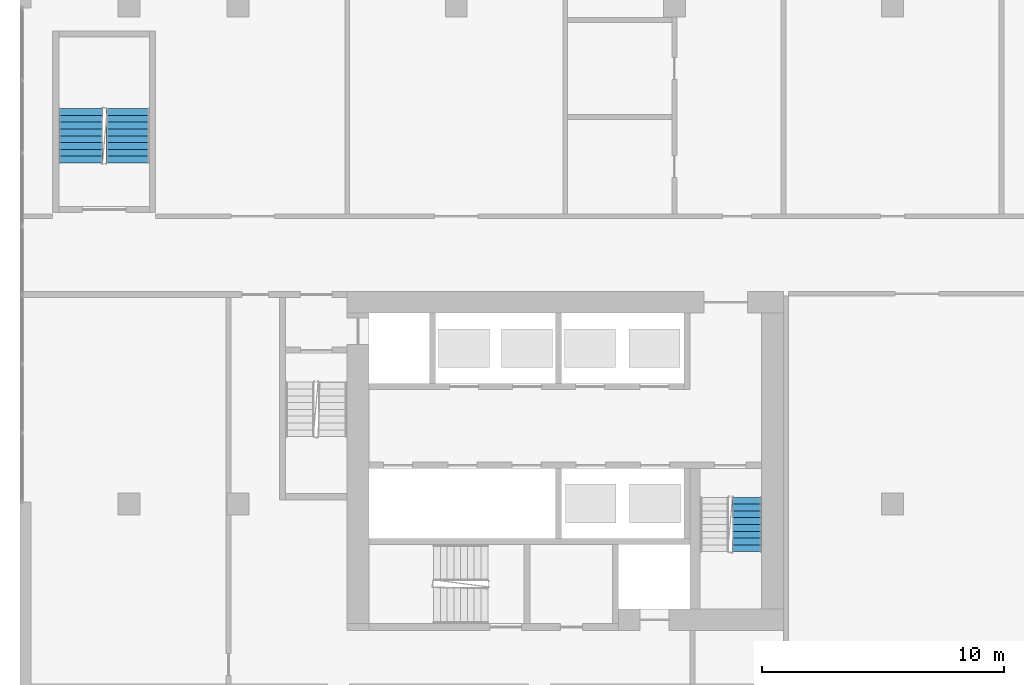
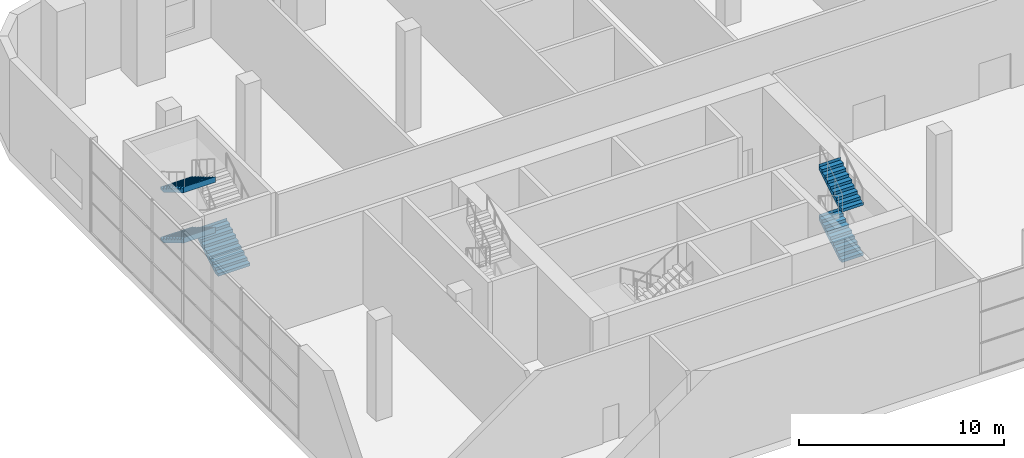
# One storey, part 19 of 27: 5 stair flights, 2 elements without a shape of their own.
"""IFC4 building model written with IfcOpenShell, lengths in metres."""

from ifc_helpers import new_model, si_unit, direction, frame, origin, place, context, subcontext, project, spatial, faceted_brep, material, type_object, element, aggregate, save


model = new_model("IFC4")

# Units and contexts
model_context = context("Model", 3, precision=1e-05, world=origin(), true_north=direction((0.0, 1.0)))
body_context = subcontext(model_context, "Body", "Model", "MODEL_VIEW")
ifc_project = project(units=[si_unit("LENGTHUNIT", "METRE"), si_unit("AREAUNIT", "SQUARE_METRE"), si_unit("VOLUMEUNIT", "CUBIC_METRE"), si_unit("PLANEANGLEUNIT", "RADIAN"), si_unit("MASSUNIT", "GRAM", prefix="KILO")], contexts=[model_context])

# Site, building, storey
site_placement = place(None, origin())
site = spatial("IfcSite", under=ifc_project, at=site_placement, CompositionType="ELEMENT")
building_placement = place(site_placement, origin())
building = spatial("IfcBuilding", under=site, at=building_placement, Name="Kajstack Hotel Tower", CompositionType="ELEMENT")
storey_placement = place(building_placement, frame((0.0, 0.0, 11.0)))
storey = spatial("IfcBuildingStorey", under=building, at=storey_placement, Name="L01", CompositionType="ELEMENT", Elevation=11.0)

# Stair, stair flights
ifc_material = material(Name="Concrete C40/50", Category="concrete")
stair_type_1 = type_object("IfcStairType", Name="Escape stair 1800", PredefinedType="HALF_TURN_STAIR", material=ifc_material)
stair_1_placement = place(storey_placement, origin())
stair_1 = element("IfcStair", 1, at=stair_1_placement, inside=storey, type_object=stair_type_1, Name="L01 stair P1", PredefinedType="HALF_TURN_STAIR")
stair_flight_type_1 = type_object("IfcStairFlightType", Name="Escape stair flight 1800", PredefinedType="STRAIGHT", material=ifc_material)
stair_flight_1_placement = place(storey_placement, frame((-40.550048828125, 3.800048828125, 0.0), z_axis=(0.0, 0.0, 1.0), x_axis=(0.0, 1.0, 0.0)))
stair_flight_1 = element("IfcStairFlight", 2, at=stair_flight_1_placement, type_object=stair_flight_type_1, Name="P1 flight 1", NumberOfRisers=9, NumberOfTreads=8, PredefinedType="STRAIGHT", RiserHeight=0.166666667, TreadLength=0.28, context=body_context, shape_type="Brep", body=[
    faceted_brep([(0.29345703125, -0.89990234375, 0.0), (2.240478515625, -0.89990234375, 1.158935546875), (2.240478515625, -0.89990234375, 1.5), (2.239990234375, -0.89990234375, 1.5), (2.239990234375, -0.89990234375, 1.333251953125), (1.9599609375, -0.89990234375, 1.333251953125), (1.9599609375, -0.89990234375, 1.166748046875), (1.679931640625, -0.89990234375, 1.166748046875), (1.679931640625, -0.89990234375, 1.0), (1.39990234375, -0.89990234375, 1.0), (1.39990234375, -0.89990234375, 0.833251953125), (1.1201171875, -0.89990234375, 0.833251953125), (1.1201171875, -0.89990234375, 0.666748046875), (0.840087890625, -0.89990234375, 0.666748046875), (0.840087890625, -0.89990234375, 0.5), (0.56005859375, -0.89990234375, 0.5), (0.56005859375, -0.89990234375, 0.333251953125), (0.280029296875, -0.89990234375, 0.333251953125), (0.280029296875, -0.89990234375, 0.166748046875), (-0.00048828125, -0.89990234375, 0.166748046875), (-0.00048828125, -0.89990234375, 0.0), (-0.00048828125, 0.89990234375, 0.0), (-0.00048828125, 0.89990234375, 0.166748046875), (0.280029296875, 0.89990234375, 0.166748046875), (0.280029296875, 0.89990234375, 0.333251953125), (0.56005859375, 0.89990234375, 0.333251953125), (0.56005859375, 0.89990234375, 0.5), (0.840087890625, 0.89990234375, 0.5), (0.840087890625, 0.89990234375, 0.666748046875), (1.1201171875, 0.89990234375, 0.666748046875), (1.1201171875, 0.89990234375, 0.833251953125), (1.39990234375, 0.89990234375, 0.833251953125), (1.39990234375, 0.89990234375, 1.0), (1.679931640625, 0.89990234375, 1.0), (1.679931640625, 0.89990234375, 1.166748046875), (1.9599609375, 0.89990234375, 1.166748046875), (1.9599609375, 0.89990234375, 1.333251953125), (2.239990234375, 0.89990234375, 1.333251953125), (2.239990234375, 0.89990234375, 1.5), (2.240478515625, 0.89990234375, 1.5), (2.240478515625, 0.89990234375, 1.158935546875), (0.29345703125, 0.89990234375, 0.0), (-0.00048828125, -0.449951171875, 0.166748046875), (-0.00048828125, 0.0, 0.166748046875), (-0.00048828125, 0.449951171875, 0.166748046875), (-0.00048828125, 0.449951171875, 0.0), (-0.00048828125, 0.0, 0.0), (-0.00048828125, -0.449951171875, 0.0), (0.280029296875, -0.449951171875, 0.166748046875), (0.280029296875, 0.0, 0.166748046875), (0.280029296875, 0.449951171875, 0.166748046875), (0.280029296875, -0.449951171875, 0.333251953125), (0.280029296875, 0.0, 0.333251953125), (0.280029296875, 0.449951171875, 0.333251953125), (0.56005859375, -0.449951171875, 0.333251953125), (0.56005859375, 0.0, 0.333251953125), (0.56005859375, 0.449951171875, 0.333251953125), (0.56005859375, -0.449951171875, 0.5), (0.56005859375, 0.0, 0.5), (0.56005859375, 0.449951171875, 0.5), (0.840087890625, -0.449951171875, 0.5), (0.840087890625, 0.0, 0.5), (0.840087890625, 0.449951171875, 0.5), (0.840087890625, -0.449951171875, 0.666748046875), (0.840087890625, 0.0, 0.666748046875), (0.840087890625, 0.449951171875, 0.666748046875), (1.1201171875, -0.449951171875, 0.666748046875), (1.1201171875, 0.0, 0.666748046875), (1.1201171875, 0.449951171875, 0.666748046875), (1.1201171875, -0.449951171875, 0.833251953125), (1.1201171875, 0.0, 0.833251953125), (1.1201171875, 0.449951171875, 0.833251953125), (1.39990234375, -0.449951171875, 0.833251953125), (1.39990234375, 0.0, 0.833251953125), (1.39990234375, 0.449951171875, 0.833251953125), (1.39990234375, -0.449951171875, 1.0), (1.39990234375, 0.0, 1.0), (1.39990234375, 0.449951171875, 1.0), (1.679931640625, -0.449951171875, 1.0), (1.679931640625, 0.0, 1.0), (1.679931640625, 0.449951171875, 1.0), (1.679931640625, -0.449951171875, 1.166748046875), (1.679931640625, 0.0, 1.166748046875), (1.679931640625, 0.449951171875, 1.166748046875), (1.9599609375, -0.449951171875, 1.166748046875), (1.9599609375, 0.0, 1.166748046875), (1.9599609375, 0.449951171875, 1.166748046875), (1.9599609375, -0.449951171875, 1.333251953125), (1.9599609375, 0.0, 1.333251953125), (1.9599609375, 0.449951171875, 1.333251953125), (2.239990234375, -0.449951171875, 1.333251953125), (2.239990234375, 0.0, 1.333251953125), (2.239990234375, 0.449951171875, 1.333251953125), (2.239990234375, -0.449951171875, 1.5), (2.239990234375, 0.0, 1.5), (2.239990234375, 0.449951171875, 1.5), (2.240478515625, -0.449951171875, 1.5), (2.240478515625, 0.0, 1.5), (2.240478515625, 0.449951171875, 1.5), (2.240478515625, -0.449951171875, 1.158935546875), (2.240478515625, 0.0, 1.158935546875), (2.240478515625, 0.449951171875, 1.158935546875), (0.29345703125, -0.449951171875, 0.0), (0.29345703125, 0.0, 0.0), (0.29345703125, 0.449951171875, 0.0)], [[[0, 1, 2, 3, 4, 5, 6, 7, 8, 9, 10, 11, 12, 13, 14, 15, 16, 17, 18, 19, 20]], [[21, 22, 23, 24, 25, 26, 27, 28, 29, 30, 31, 32, 33, 34, 35, 36, 37, 38, 39, 40, 41]], [[19, 42, 43, 44, 22, 21, 45, 46, 47, 20]], [[18, 48, 49, 50, 23, 22, 44, 43, 42, 19]], [[17, 51, 52, 53, 24, 23, 50, 49, 48, 18]], [[16, 54, 55, 56, 25, 24, 53, 52, 51, 17]], [[15, 57, 58, 59, 26, 25, 56, 55, 54, 16]], [[14, 60, 61, 62, 27, 26, 59, 58, 57, 15]], [[13, 63, 64, 65, 28, 27, 62, 61, 60, 14]], [[12, 66, 67, 68, 29, 28, 65, 64, 63, 13]], [[11, 69, 70, 71, 30, 29, 68, 67, 66, 12]], [[10, 72, 73, 74, 31, 30, 71, 70, 69, 11]], [[9, 75, 76, 77, 32, 31, 74, 73, 72, 10]], [[8, 78, 79, 80, 33, 32, 77, 76, 75, 9]], [[7, 81, 82, 83, 34, 33, 80, 79, 78, 8]], [[6, 84, 85, 86, 35, 34, 83, 82, 81, 7]], [[5, 87, 88, 89, 36, 35, 86, 85, 84, 6]], [[4, 90, 91, 92, 37, 36, 89, 88, 87, 5]], [[3, 93, 94, 95, 38, 37, 92, 91, 90, 4]], [[2, 96, 97, 98, 39, 38, 95, 94, 93, 3]], [[1, 99, 100, 101, 40, 39, 98, 97, 96, 2]], [[0, 102, 103, 104, 41, 40, 101, 100, 99, 1]], [[20, 47, 46, 45, 21, 41, 104, 103, 102, 0]]]),
])
stair_flight_2_placement = place(storey_placement, frame((-42.5, 6.0400390625, 1.5), z_axis=(0.0, 0.0, 1.0), x_axis=(0.0, -1.0, 0.0)))
stair_flight_2 = element("IfcStairFlight", 3, at=stair_flight_2_placement, type_object=stair_flight_type_1, Name="P1 flight 2", NumberOfRisers=9, NumberOfTreads=8, PredefinedType="STRAIGHT", RiserHeight=0.166666667, TreadLength=0.28, context=body_context, shape_type="Brep", body=[
    faceted_brep([(0.29345703125, -0.89990234375, 0.0), (2.240478515625, -0.89990234375, 1.158935546875), (2.240478515625, -0.89990234375, 1.5), (2.239990234375, -0.89990234375, 1.5), (2.239990234375, -0.89990234375, 1.333251953125), (1.9599609375, -0.89990234375, 1.333251953125), (1.9599609375, -0.89990234375, 1.166748046875), (1.679931640625, -0.89990234375, 1.166748046875), (1.679931640625, -0.89990234375, 1.0), (1.39990234375, -0.89990234375, 1.0), (1.39990234375, -0.89990234375, 0.833251953125), (1.1201171875, -0.89990234375, 0.833251953125), (1.1201171875, -0.89990234375, 0.666748046875), (0.840087890625, -0.89990234375, 0.666748046875), (0.840087890625, -0.89990234375, 0.5), (0.56005859375, -0.89990234375, 0.5), (0.56005859375, -0.89990234375, 0.333251953125), (0.280029296875, -0.89990234375, 0.333251953125), (0.280029296875, -0.89990234375, 0.166748046875), (-0.00048828125, -0.89990234375, 0.166748046875), (-0.00048828125, -0.89990234375, 0.0), (-0.00048828125, 0.89990234375, 0.0), (-0.00048828125, 0.89990234375, 0.166748046875), (0.280029296875, 0.89990234375, 0.166748046875), (0.280029296875, 0.89990234375, 0.333251953125), (0.56005859375, 0.89990234375, 0.333251953125), (0.56005859375, 0.89990234375, 0.5), (0.840087890625, 0.89990234375, 0.5), (0.840087890625, 0.89990234375, 0.666748046875), (1.1201171875, 0.89990234375, 0.666748046875), (1.1201171875, 0.89990234375, 0.833251953125), (1.39990234375, 0.89990234375, 0.833251953125), (1.39990234375, 0.89990234375, 1.0), (1.679931640625, 0.89990234375, 1.0), (1.679931640625, 0.89990234375, 1.166748046875), (1.9599609375, 0.89990234375, 1.166748046875), (1.9599609375, 0.89990234375, 1.333251953125), (2.239990234375, 0.89990234375, 1.333251953125), (2.239990234375, 0.89990234375, 1.5), (2.240478515625, 0.89990234375, 1.5), (2.240478515625, 0.89990234375, 1.158935546875), (0.29345703125, 0.89990234375, 0.0), (-0.00048828125, -0.449951171875, 0.166748046875), (-0.00048828125, 0.0, 0.166748046875), (-0.00048828125, 0.449951171875, 0.166748046875), (-0.00048828125, 0.449951171875, 0.0), (-0.00048828125, 0.0, 0.0), (-0.00048828125, -0.449951171875, 0.0), (0.280029296875, -0.449951171875, 0.166748046875), (0.280029296875, 0.0, 0.166748046875), (0.280029296875, 0.449951171875, 0.166748046875), (0.280029296875, -0.449951171875, 0.333251953125), (0.280029296875, 0.0, 0.333251953125), (0.280029296875, 0.449951171875, 0.333251953125), (0.56005859375, -0.449951171875, 0.333251953125), (0.56005859375, 0.0, 0.333251953125), (0.56005859375, 0.449951171875, 0.333251953125), (0.56005859375, -0.449951171875, 0.5), (0.56005859375, 0.0, 0.5), (0.56005859375, 0.449951171875, 0.5), (0.840087890625, -0.449951171875, 0.5), (0.840087890625, 0.0, 0.5), (0.840087890625, 0.449951171875, 0.5), (0.840087890625, -0.449951171875, 0.666748046875), (0.840087890625, 0.0, 0.666748046875), (0.840087890625, 0.449951171875, 0.666748046875), (1.1201171875, -0.449951171875, 0.666748046875), (1.1201171875, 0.0, 0.666748046875), (1.1201171875, 0.449951171875, 0.666748046875), (1.1201171875, -0.449951171875, 0.833251953125), (1.1201171875, 0.0, 0.833251953125), (1.1201171875, 0.449951171875, 0.833251953125), (1.39990234375, -0.449951171875, 0.833251953125), (1.39990234375, 0.0, 0.833251953125), (1.39990234375, 0.449951171875, 0.833251953125), (1.39990234375, -0.449951171875, 1.0), (1.39990234375, 0.0, 1.0), (1.39990234375, 0.449951171875, 1.0), (1.679931640625, -0.449951171875, 1.0), (1.679931640625, 0.0, 1.0), (1.679931640625, 0.449951171875, 1.0), (1.679931640625, -0.449951171875, 1.166748046875), (1.679931640625, 0.0, 1.166748046875), (1.679931640625, 0.449951171875, 1.166748046875), (1.9599609375, -0.449951171875, 1.166748046875), (1.9599609375, 0.0, 1.166748046875), (1.9599609375, 0.449951171875, 1.166748046875), (1.9599609375, -0.449951171875, 1.333251953125), (1.9599609375, 0.0, 1.333251953125), (1.9599609375, 0.449951171875, 1.333251953125), (2.239990234375, -0.449951171875, 1.333251953125), (2.239990234375, 0.0, 1.333251953125), (2.239990234375, 0.449951171875, 1.333251953125), (2.239990234375, -0.449951171875, 1.5), (2.239990234375, 0.0, 1.5), (2.239990234375, 0.449951171875, 1.5), (2.240478515625, -0.449951171875, 1.5), (2.240478515625, 0.0, 1.5), (2.240478515625, 0.449951171875, 1.5), (2.240478515625, -0.449951171875, 1.158935546875), (2.240478515625, 0.0, 1.158935546875), (2.240478515625, 0.449951171875, 1.158935546875), (0.29345703125, -0.449951171875, 0.0), (0.29345703125, 0.0, 0.0), (0.29345703125, 0.449951171875, 0.0)], [[[0, 1, 2, 3, 4, 5, 6, 7, 8, 9, 10, 11, 12, 13, 14, 15, 16, 17, 18, 19, 20]], [[21, 22, 23, 24, 25, 26, 27, 28, 29, 30, 31, 32, 33, 34, 35, 36, 37, 38, 39, 40, 41]], [[19, 42, 43, 44, 22, 21, 45, 46, 47, 20]], [[18, 48, 49, 50, 23, 22, 44, 43, 42, 19]], [[17, 51, 52, 53, 24, 23, 50, 49, 48, 18]], [[16, 54, 55, 56, 25, 24, 53, 52, 51, 17]], [[15, 57, 58, 59, 26, 25, 56, 55, 54, 16]], [[14, 60, 61, 62, 27, 26, 59, 58, 57, 15]], [[13, 63, 64, 65, 28, 27, 62, 61, 60, 14]], [[12, 66, 67, 68, 29, 28, 65, 64, 63, 13]], [[11, 69, 70, 71, 30, 29, 68, 67, 66, 12]], [[10, 72, 73, 74, 31, 30, 71, 70, 69, 11]], [[9, 75, 76, 77, 32, 31, 74, 73, 72, 10]], [[8, 78, 79, 80, 33, 32, 77, 76, 75, 9]], [[7, 81, 82, 83, 34, 33, 80, 79, 78, 8]], [[6, 84, 85, 86, 35, 34, 83, 82, 81, 7]], [[5, 87, 88, 89, 36, 35, 86, 85, 84, 6]], [[4, 90, 91, 92, 37, 36, 89, 88, 87, 5]], [[3, 93, 94, 95, 38, 37, 92, 91, 90, 4]], [[2, 96, 97, 98, 39, 38, 95, 94, 93, 3]], [[1, 99, 100, 101, 40, 39, 98, 97, 96, 2]], [[0, 102, 103, 104, 41, 40, 101, 100, 99, 1]], [[20, 47, 46, 45, 21, 41, 104, 103, 102, 0]]]),
])
stair_flight_3_placement = place(storey_placement, frame((-42.5, 6.0400390625, 4.5), z_axis=(0.0, 0.0, 1.0), x_axis=(0.0, -1.0, 0.0)))
stair_flight_3 = element("IfcStairFlight", 4, at=stair_flight_3_placement, type_object=stair_flight_type_1, Name="P1 flight 4", NumberOfRisers=9, NumberOfTreads=8, PredefinedType="STRAIGHT", RiserHeight=0.166666667, TreadLength=0.28, context=body_context, shape_type="Brep", body=[
    faceted_brep([(0.29345703125, -0.89990234375, 0.0), (2.240478515625, -0.89990234375, 1.158935546875), (2.240478515625, -0.89990234375, 1.5), (2.239990234375, -0.89990234375, 1.5), (2.239990234375, -0.89990234375, 1.333251953125), (1.9599609375, -0.89990234375, 1.333251953125), (1.9599609375, -0.89990234375, 1.166748046875), (1.679931640625, -0.89990234375, 1.166748046875), (1.679931640625, -0.89990234375, 1.0), (1.39990234375, -0.89990234375, 1.0), (1.39990234375, -0.89990234375, 0.833251953125), (1.1201171875, -0.89990234375, 0.833251953125), (1.1201171875, -0.89990234375, 0.666748046875), (0.840087890625, -0.89990234375, 0.666748046875), (0.840087890625, -0.89990234375, 0.5), (0.56005859375, -0.89990234375, 0.5), (0.56005859375, -0.89990234375, 0.333251953125), (0.280029296875, -0.89990234375, 0.333251953125), (0.280029296875, -0.89990234375, 0.166748046875), (-0.00048828125, -0.89990234375, 0.166748046875), (-0.00048828125, -0.89990234375, 0.0), (-0.00048828125, 0.89990234375, 0.0), (-0.00048828125, 0.89990234375, 0.166748046875), (0.280029296875, 0.89990234375, 0.166748046875), (0.280029296875, 0.89990234375, 0.333251953125), (0.56005859375, 0.89990234375, 0.333251953125), (0.56005859375, 0.89990234375, 0.5), (0.840087890625, 0.89990234375, 0.5), (0.840087890625, 0.89990234375, 0.666748046875), (1.1201171875, 0.89990234375, 0.666748046875), (1.1201171875, 0.89990234375, 0.833251953125), (1.39990234375, 0.89990234375, 0.833251953125), (1.39990234375, 0.89990234375, 1.0), (1.679931640625, 0.89990234375, 1.0), (1.679931640625, 0.89990234375, 1.166748046875), (1.9599609375, 0.89990234375, 1.166748046875), (1.9599609375, 0.89990234375, 1.333251953125), (2.239990234375, 0.89990234375, 1.333251953125), (2.239990234375, 0.89990234375, 1.5), (2.240478515625, 0.89990234375, 1.5), (2.240478515625, 0.89990234375, 1.158935546875), (0.29345703125, 0.89990234375, 0.0), (-0.00048828125, -0.449951171875, 0.166748046875), (-0.00048828125, 0.0, 0.166748046875), (-0.00048828125, 0.449951171875, 0.166748046875), (-0.00048828125, 0.449951171875, 0.0), (-0.00048828125, 0.0, 0.0), (-0.00048828125, -0.449951171875, 0.0), (0.280029296875, -0.449951171875, 0.166748046875), (0.280029296875, 0.0, 0.166748046875), (0.280029296875, 0.449951171875, 0.166748046875), (0.280029296875, -0.449951171875, 0.333251953125), (0.280029296875, 0.0, 0.333251953125), (0.280029296875, 0.449951171875, 0.333251953125), (0.56005859375, -0.449951171875, 0.333251953125), (0.56005859375, 0.0, 0.333251953125), (0.56005859375, 0.449951171875, 0.333251953125), (0.56005859375, -0.449951171875, 0.5), (0.56005859375, 0.0, 0.5), (0.56005859375, 0.449951171875, 0.5), (0.840087890625, -0.449951171875, 0.5), (0.840087890625, 0.0, 0.5), (0.840087890625, 0.449951171875, 0.5), (0.840087890625, -0.449951171875, 0.666748046875), (0.840087890625, 0.0, 0.666748046875), (0.840087890625, 0.449951171875, 0.666748046875), (1.1201171875, -0.449951171875, 0.666748046875), (1.1201171875, 0.0, 0.666748046875), (1.1201171875, 0.449951171875, 0.666748046875), (1.1201171875, -0.449951171875, 0.833251953125), (1.1201171875, 0.0, 0.833251953125), (1.1201171875, 0.449951171875, 0.833251953125), (1.39990234375, -0.449951171875, 0.833251953125), (1.39990234375, 0.0, 0.833251953125), (1.39990234375, 0.449951171875, 0.833251953125), (1.39990234375, -0.449951171875, 1.0), (1.39990234375, 0.0, 1.0), (1.39990234375, 0.449951171875, 1.0), (1.679931640625, -0.449951171875, 1.0), (1.679931640625, 0.0, 1.0), (1.679931640625, 0.449951171875, 1.0), (1.679931640625, -0.449951171875, 1.166748046875), (1.679931640625, 0.0, 1.166748046875), (1.679931640625, 0.449951171875, 1.166748046875), (1.9599609375, -0.449951171875, 1.166748046875), (1.9599609375, 0.0, 1.166748046875), (1.9599609375, 0.449951171875, 1.166748046875), (1.9599609375, -0.449951171875, 1.333251953125), (1.9599609375, 0.0, 1.333251953125), (1.9599609375, 0.449951171875, 1.333251953125), (2.239990234375, -0.449951171875, 1.333251953125), (2.239990234375, 0.0, 1.333251953125), (2.239990234375, 0.449951171875, 1.333251953125), (2.239990234375, -0.449951171875, 1.5), (2.239990234375, 0.0, 1.5), (2.239990234375, 0.449951171875, 1.5), (2.240478515625, -0.449951171875, 1.5), (2.240478515625, 0.0, 1.5), (2.240478515625, 0.449951171875, 1.5), (2.240478515625, -0.449951171875, 1.158935546875), (2.240478515625, 0.0, 1.158935546875), (2.240478515625, 0.449951171875, 1.158935546875), (0.29345703125, -0.449951171875, 0.0), (0.29345703125, 0.0, 0.0), (0.29345703125, 0.449951171875, 0.0)], [[[0, 1, 2, 3, 4, 5, 6, 7, 8, 9, 10, 11, 12, 13, 14, 15, 16, 17, 18, 19, 20]], [[21, 22, 23, 24, 25, 26, 27, 28, 29, 30, 31, 32, 33, 34, 35, 36, 37, 38, 39, 40, 41]], [[19, 42, 43, 44, 22, 21, 45, 46, 47, 20]], [[18, 48, 49, 50, 23, 22, 44, 43, 42, 19]], [[17, 51, 52, 53, 24, 23, 50, 49, 48, 18]], [[16, 54, 55, 56, 25, 24, 53, 52, 51, 17]], [[15, 57, 58, 59, 26, 25, 56, 55, 54, 16]], [[14, 60, 61, 62, 27, 26, 59, 58, 57, 15]], [[13, 63, 64, 65, 28, 27, 62, 61, 60, 14]], [[12, 66, 67, 68, 29, 28, 65, 64, 63, 13]], [[11, 69, 70, 71, 30, 29, 68, 67, 66, 12]], [[10, 72, 73, 74, 31, 30, 71, 70, 69, 11]], [[9, 75, 76, 77, 32, 31, 74, 73, 72, 10]], [[8, 78, 79, 80, 33, 32, 77, 76, 75, 9]], [[7, 81, 82, 83, 34, 33, 80, 79, 78, 8]], [[6, 84, 85, 86, 35, 34, 83, 82, 81, 7]], [[5, 87, 88, 89, 36, 35, 86, 85, 84, 6]], [[4, 90, 91, 92, 37, 36, 89, 88, 87, 5]], [[3, 93, 94, 95, 38, 37, 92, 91, 90, 4]], [[2, 96, 97, 98, 39, 38, 95, 94, 93, 3]], [[1, 99, 100, 101, 40, 39, 98, 97, 96, 2]], [[0, 102, 103, 104, 41, 40, 101, 100, 99, 1]], [[20, 47, 46, 45, 21, 41, 104, 103, 102, 0]]]),
])
aggregate(stair_1, [stair_flight_1, stair_flight_2, stair_flight_3])

stair_type_2 = type_object("IfcStairType", Name="Exit stair 1200", PredefinedType="HALF_TURN_STAIR", material=ifc_material)
stair_2_placement = place(storey_placement, origin())
stair_2 = element("IfcStair", 5, at=stair_2_placement, inside=storey, type_object=stair_type_2, Name="L01 stair W2", PredefinedType="HALF_TURN_STAIR")
stair_flight_type_2 = type_object("IfcStairFlightType", Name="Exit stair flight 1200", PredefinedType="STRAIGHT", material=ifc_material)
stair_flight_4_placement = place(storey_placement, frame((-15.0, -12.239990234375, 1.5), z_axis=(0.0, 0.0, 1.0), x_axis=(0.0, 1.0, 0.0)))
stair_flight_4 = element("IfcStairFlight", 6, at=stair_flight_4_placement, type_object=stair_flight_type_2, Name="W2 flight 2", NumberOfRisers=9, NumberOfTreads=8, PredefinedType="STRAIGHT", RiserHeight=0.166666667, TreadLength=0.28, context=body_context, shape_type="Brep", body=[
    faceted_brep([(0.29345703125, -0.60009765625, 0.0), (2.240478515625, -0.60009765625, 1.158935546875), (2.240478515625, -0.60009765625, 1.5), (2.239990234375, -0.60009765625, 1.5), (2.239990234375, -0.60009765625, 1.333251953125), (1.9599609375, -0.60009765625, 1.333251953125), (1.9599609375, -0.60009765625, 1.166748046875), (1.679931640625, -0.60009765625, 1.166748046875), (1.679931640625, -0.60009765625, 1.0), (1.39990234375, -0.60009765625, 1.0), (1.39990234375, -0.60009765625, 0.833251953125), (1.1201171875, -0.60009765625, 0.833251953125), (1.1201171875, -0.60009765625, 0.666748046875), (0.840087890625, -0.60009765625, 0.666748046875), (0.840087890625, -0.60009765625, 0.5), (0.56005859375, -0.60009765625, 0.5), (0.56005859375, -0.60009765625, 0.333251953125), (0.280029296875, -0.60009765625, 0.333251953125), (0.280029296875, -0.60009765625, 0.166748046875), (-0.00048828125, -0.60009765625, 0.166748046875), (-0.00048828125, -0.60009765625, 0.0), (-0.00048828125, 0.60009765625, 0.0), (-0.00048828125, 0.60009765625, 0.166748046875), (0.280029296875, 0.60009765625, 0.166748046875), (0.280029296875, 0.60009765625, 0.333251953125), (0.56005859375, 0.60009765625, 0.333251953125), (0.56005859375, 0.60009765625, 0.5), (0.840087890625, 0.60009765625, 0.5), (0.840087890625, 0.60009765625, 0.666748046875), (1.1201171875, 0.60009765625, 0.666748046875), (1.1201171875, 0.60009765625, 0.833251953125), (1.39990234375, 0.60009765625, 0.833251953125), (1.39990234375, 0.60009765625, 1.0), (1.679931640625, 0.60009765625, 1.0), (1.679931640625, 0.60009765625, 1.166748046875), (1.9599609375, 0.60009765625, 1.166748046875), (1.9599609375, 0.60009765625, 1.333251953125), (2.239990234375, 0.60009765625, 1.333251953125), (2.239990234375, 0.60009765625, 1.5), (2.240478515625, 0.60009765625, 1.5), (2.240478515625, 0.60009765625, 1.158935546875), (0.29345703125, 0.60009765625, 0.0), (-0.00048828125, -0.300048828125, 0.166748046875), (-0.00048828125, 0.0, 0.166748046875), (-0.00048828125, 0.300048828125, 0.166748046875), (-0.00048828125, 0.300048828125, 0.0), (-0.00048828125, 0.0, 0.0), (-0.00048828125, -0.300048828125, 0.0), (0.280029296875, -0.300048828125, 0.166748046875), (0.280029296875, 0.0, 0.166748046875), (0.280029296875, 0.300048828125, 0.166748046875), (0.280029296875, -0.300048828125, 0.333251953125), (0.280029296875, 0.0, 0.333251953125), (0.280029296875, 0.300048828125, 0.333251953125), (0.56005859375, -0.300048828125, 0.333251953125), (0.56005859375, 0.0, 0.333251953125), (0.56005859375, 0.300048828125, 0.333251953125), (0.56005859375, -0.300048828125, 0.5), (0.56005859375, 0.0, 0.5), (0.56005859375, 0.300048828125, 0.5), (0.840087890625, -0.300048828125, 0.5), (0.840087890625, 0.0, 0.5), (0.840087890625, 0.300048828125, 0.5), (0.840087890625, -0.300048828125, 0.666748046875), (0.840087890625, 0.0, 0.666748046875), (0.840087890625, 0.300048828125, 0.666748046875), (1.1201171875, -0.300048828125, 0.666748046875), (1.1201171875, 0.0, 0.666748046875), (1.1201171875, 0.300048828125, 0.666748046875), (1.1201171875, -0.300048828125, 0.833251953125), (1.1201171875, 0.0, 0.833251953125), (1.1201171875, 0.300048828125, 0.833251953125), (1.39990234375, -0.300048828125, 0.833251953125), (1.39990234375, 0.0, 0.833251953125), (1.39990234375, 0.300048828125, 0.833251953125), (1.39990234375, -0.300048828125, 1.0), (1.39990234375, 0.0, 1.0), (1.39990234375, 0.300048828125, 1.0), (1.679931640625, -0.300048828125, 1.0), (1.679931640625, 0.0, 1.0), (1.679931640625, 0.300048828125, 1.0), (1.679931640625, -0.300048828125, 1.166748046875), (1.679931640625, 0.0, 1.166748046875), (1.679931640625, 0.300048828125, 1.166748046875), (1.9599609375, -0.300048828125, 1.166748046875), (1.9599609375, 0.0, 1.166748046875), (1.9599609375, 0.300048828125, 1.166748046875), (1.9599609375, -0.300048828125, 1.333251953125), (1.9599609375, 0.0, 1.333251953125), (1.9599609375, 0.300048828125, 1.333251953125), (2.239990234375, -0.300048828125, 1.333251953125), (2.239990234375, 0.0, 1.333251953125), (2.239990234375, 0.300048828125, 1.333251953125), (2.239990234375, -0.300048828125, 1.5), (2.239990234375, 0.0, 1.5), (2.239990234375, 0.300048828125, 1.5), (2.240478515625, -0.300048828125, 1.5), (2.240478515625, 0.0, 1.5), (2.240478515625, 0.300048828125, 1.5), (2.240478515625, -0.300048828125, 1.158935546875), (2.240478515625, 0.0, 1.158935546875), (2.240478515625, 0.300048828125, 1.158935546875), (0.29345703125, -0.300048828125, 0.0), (0.29345703125, 0.0, 0.0), (0.29345703125, 0.300048828125, 0.0)], [[[0, 1, 2, 3, 4, 5, 6, 7, 8, 9, 10, 11, 12, 13, 14, 15, 16, 17, 18, 19, 20]], [[21, 22, 23, 24, 25, 26, 27, 28, 29, 30, 31, 32, 33, 34, 35, 36, 37, 38, 39, 40, 41]], [[19, 42, 43, 44, 22, 21, 45, 46, 47, 20]], [[18, 48, 49, 50, 23, 22, 44, 43, 42, 19]], [[17, 51, 52, 53, 24, 23, 50, 49, 48, 18]], [[16, 54, 55, 56, 25, 24, 53, 52, 51, 17]], [[15, 57, 58, 59, 26, 25, 56, 55, 54, 16]], [[14, 60, 61, 62, 27, 26, 59, 58, 57, 15]], [[13, 63, 64, 65, 28, 27, 62, 61, 60, 14]], [[12, 66, 67, 68, 29, 28, 65, 64, 63, 13]], [[11, 69, 70, 71, 30, 29, 68, 67, 66, 12]], [[10, 72, 73, 74, 31, 30, 71, 70, 69, 11]], [[9, 75, 76, 77, 32, 31, 74, 73, 72, 10]], [[8, 78, 79, 80, 33, 32, 77, 76, 75, 9]], [[7, 81, 82, 83, 34, 33, 80, 79, 78, 8]], [[6, 84, 85, 86, 35, 34, 83, 82, 81, 7]], [[5, 87, 88, 89, 36, 35, 86, 85, 84, 6]], [[4, 90, 91, 92, 37, 36, 89, 88, 87, 5]], [[3, 93, 94, 95, 38, 37, 92, 91, 90, 4]], [[2, 96, 97, 98, 39, 38, 95, 94, 93, 3]], [[1, 99, 100, 101, 40, 39, 98, 97, 96, 2]], [[0, 102, 103, 104, 41, 40, 101, 100, 99, 1]], [[20, 47, 46, 45, 21, 41, 104, 103, 102, 0]]]),
])
stair_flight_5_placement = place(storey_placement, frame((-15.0, -12.239990234375, 4.5), z_axis=(0.0, 0.0, 1.0), x_axis=(0.0, 1.0, 0.0)))
stair_flight_5 = element("IfcStairFlight", 7, at=stair_flight_5_placement, type_object=stair_flight_type_2, Name="W2 flight 4", NumberOfRisers=9, NumberOfTreads=8, PredefinedType="STRAIGHT", RiserHeight=0.166666667, TreadLength=0.28, context=body_context, shape_type="Brep", body=[
    faceted_brep([(0.29345703125, -0.60009765625, 0.0), (2.240478515625, -0.60009765625, 1.158935546875), (2.240478515625, -0.60009765625, 1.5), (2.239990234375, -0.60009765625, 1.5), (2.239990234375, -0.60009765625, 1.333251953125), (1.9599609375, -0.60009765625, 1.333251953125), (1.9599609375, -0.60009765625, 1.166748046875), (1.679931640625, -0.60009765625, 1.166748046875), (1.679931640625, -0.60009765625, 1.0), (1.39990234375, -0.60009765625, 1.0), (1.39990234375, -0.60009765625, 0.833251953125), (1.1201171875, -0.60009765625, 0.833251953125), (1.1201171875, -0.60009765625, 0.666748046875), (0.840087890625, -0.60009765625, 0.666748046875), (0.840087890625, -0.60009765625, 0.5), (0.56005859375, -0.60009765625, 0.5), (0.56005859375, -0.60009765625, 0.333251953125), (0.280029296875, -0.60009765625, 0.333251953125), (0.280029296875, -0.60009765625, 0.166748046875), (-0.00048828125, -0.60009765625, 0.166748046875), (-0.00048828125, -0.60009765625, 0.0), (-0.00048828125, 0.60009765625, 0.0), (-0.00048828125, 0.60009765625, 0.166748046875), (0.280029296875, 0.60009765625, 0.166748046875), (0.280029296875, 0.60009765625, 0.333251953125), (0.56005859375, 0.60009765625, 0.333251953125), (0.56005859375, 0.60009765625, 0.5), (0.840087890625, 0.60009765625, 0.5), (0.840087890625, 0.60009765625, 0.666748046875), (1.1201171875, 0.60009765625, 0.666748046875), (1.1201171875, 0.60009765625, 0.833251953125), (1.39990234375, 0.60009765625, 0.833251953125), (1.39990234375, 0.60009765625, 1.0), (1.679931640625, 0.60009765625, 1.0), (1.679931640625, 0.60009765625, 1.166748046875), (1.9599609375, 0.60009765625, 1.166748046875), (1.9599609375, 0.60009765625, 1.333251953125), (2.239990234375, 0.60009765625, 1.333251953125), (2.239990234375, 0.60009765625, 1.5), (2.240478515625, 0.60009765625, 1.5), (2.240478515625, 0.60009765625, 1.158935546875), (0.29345703125, 0.60009765625, 0.0), (-0.00048828125, -0.300048828125, 0.166748046875), (-0.00048828125, 0.0, 0.166748046875), (-0.00048828125, 0.300048828125, 0.166748046875), (-0.00048828125, 0.300048828125, 0.0), (-0.00048828125, 0.0, 0.0), (-0.00048828125, -0.300048828125, 0.0), (0.280029296875, -0.300048828125, 0.166748046875), (0.280029296875, 0.0, 0.166748046875), (0.280029296875, 0.300048828125, 0.166748046875), (0.280029296875, -0.300048828125, 0.333251953125), (0.280029296875, 0.0, 0.333251953125), (0.280029296875, 0.300048828125, 0.333251953125), (0.56005859375, -0.300048828125, 0.333251953125), (0.56005859375, 0.0, 0.333251953125), (0.56005859375, 0.300048828125, 0.333251953125), (0.56005859375, -0.300048828125, 0.5), (0.56005859375, 0.0, 0.5), (0.56005859375, 0.300048828125, 0.5), (0.840087890625, -0.300048828125, 0.5), (0.840087890625, 0.0, 0.5), (0.840087890625, 0.300048828125, 0.5), (0.840087890625, -0.300048828125, 0.666748046875), (0.840087890625, 0.0, 0.666748046875), (0.840087890625, 0.300048828125, 0.666748046875), (1.1201171875, -0.300048828125, 0.666748046875), (1.1201171875, 0.0, 0.666748046875), (1.1201171875, 0.300048828125, 0.666748046875), (1.1201171875, -0.300048828125, 0.833251953125), (1.1201171875, 0.0, 0.833251953125), (1.1201171875, 0.300048828125, 0.833251953125), (1.39990234375, -0.300048828125, 0.833251953125), (1.39990234375, 0.0, 0.833251953125), (1.39990234375, 0.300048828125, 0.833251953125), (1.39990234375, -0.300048828125, 1.0), (1.39990234375, 0.0, 1.0), (1.39990234375, 0.300048828125, 1.0), (1.679931640625, -0.300048828125, 1.0), (1.679931640625, 0.0, 1.0), (1.679931640625, 0.300048828125, 1.0), (1.679931640625, -0.300048828125, 1.166748046875), (1.679931640625, 0.0, 1.166748046875), (1.679931640625, 0.300048828125, 1.166748046875), (1.9599609375, -0.300048828125, 1.166748046875), (1.9599609375, 0.0, 1.166748046875), (1.9599609375, 0.300048828125, 1.166748046875), (1.9599609375, -0.300048828125, 1.333251953125), (1.9599609375, 0.0, 1.333251953125), (1.9599609375, 0.300048828125, 1.333251953125), (2.239990234375, -0.300048828125, 1.333251953125), (2.239990234375, 0.0, 1.333251953125), (2.239990234375, 0.300048828125, 1.333251953125), (2.239990234375, -0.300048828125, 1.5), (2.239990234375, 0.0, 1.5), (2.239990234375, 0.300048828125, 1.5), (2.240478515625, -0.300048828125, 1.5), (2.240478515625, 0.0, 1.5), (2.240478515625, 0.300048828125, 1.5), (2.240478515625, -0.300048828125, 1.158935546875), (2.240478515625, 0.0, 1.158935546875), (2.240478515625, 0.300048828125, 1.158935546875), (0.29345703125, -0.300048828125, 0.0), (0.29345703125, 0.0, 0.0), (0.29345703125, 0.300048828125, 0.0)], [[[0, 1, 2, 3, 4, 5, 6, 7, 8, 9, 10, 11, 12, 13, 14, 15, 16, 17, 18, 19, 20]], [[21, 22, 23, 24, 25, 26, 27, 28, 29, 30, 31, 32, 33, 34, 35, 36, 37, 38, 39, 40, 41]], [[19, 42, 43, 44, 22, 21, 45, 46, 47, 20]], [[18, 48, 49, 50, 23, 22, 44, 43, 42, 19]], [[17, 51, 52, 53, 24, 23, 50, 49, 48, 18]], [[16, 54, 55, 56, 25, 24, 53, 52, 51, 17]], [[15, 57, 58, 59, 26, 25, 56, 55, 54, 16]], [[14, 60, 61, 62, 27, 26, 59, 58, 57, 15]], [[13, 63, 64, 65, 28, 27, 62, 61, 60, 14]], [[12, 66, 67, 68, 29, 28, 65, 64, 63, 13]], [[11, 69, 70, 71, 30, 29, 68, 67, 66, 12]], [[10, 72, 73, 74, 31, 30, 71, 70, 69, 11]], [[9, 75, 76, 77, 32, 31, 74, 73, 72, 10]], [[8, 78, 79, 80, 33, 32, 77, 76, 75, 9]], [[7, 81, 82, 83, 34, 33, 80, 79, 78, 8]], [[6, 84, 85, 86, 35, 34, 83, 82, 81, 7]], [[5, 87, 88, 89, 36, 35, 86, 85, 84, 6]], [[4, 90, 91, 92, 37, 36, 89, 88, 87, 5]], [[3, 93, 94, 95, 38, 37, 92, 91, 90, 4]], [[2, 96, 97, 98, 39, 38, 95, 94, 93, 3]], [[1, 99, 100, 101, 40, 39, 98, 97, 96, 2]], [[0, 102, 103, 104, 41, 40, 101, 100, 99, 1]], [[20, 47, 46, 45, 21, 41, 104, 103, 102, 0]]]),
])
aggregate(stair_2, [stair_flight_4, stair_flight_5])

save(model, "model.ifc")
